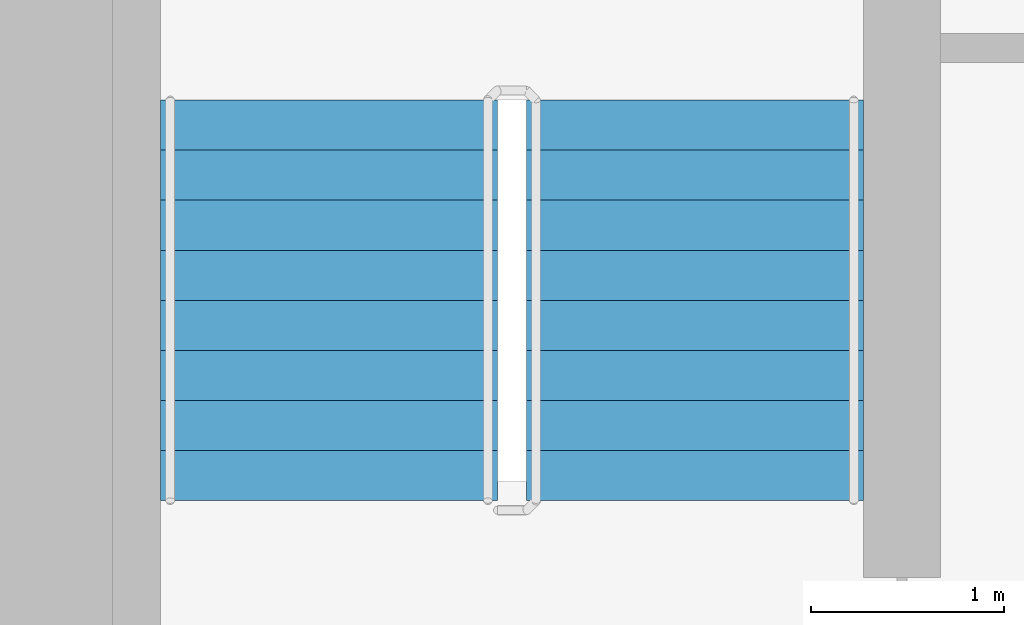
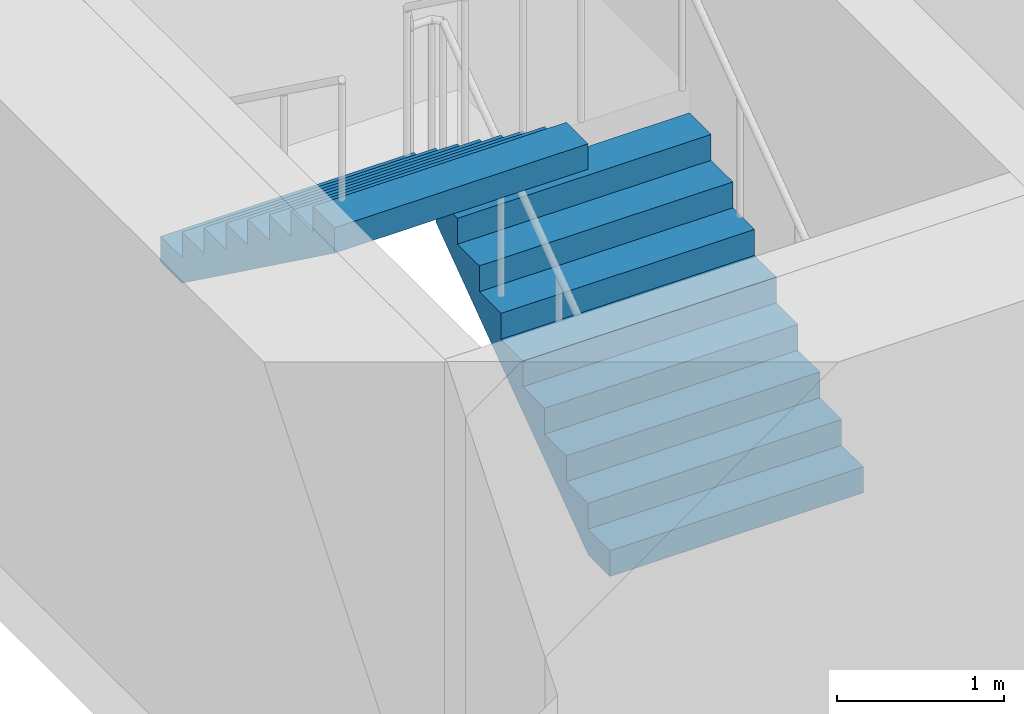
# One storey, part 18 of 22: 2 stair flights, 1 element without a shape of its own.
"""IFC4 building model written with IfcOpenShell, lengths in metres."""

from ifc_helpers import new_model, si_unit, direction, frame, origin, place, context, subcontext, project, spatial, faceted_brep, material, type_object, element, aggregate, save


model = new_model("IFC4")

# Units and contexts
model_context = context("Model", 3, precision=1e-05, world=origin(), true_north=direction((0.0, 1.0)))
body_context = subcontext(model_context, "Body", "Model", "MODEL_VIEW")
ifc_project = project(units=[si_unit("LENGTHUNIT", "METRE"), si_unit("AREAUNIT", "SQUARE_METRE"), si_unit("VOLUMEUNIT", "CUBIC_METRE"), si_unit("PLANEANGLEUNIT", "RADIAN"), si_unit("MASSUNIT", "GRAM", prefix="KILO")], contexts=[model_context])

# Site, building, storey
site_placement = place(None, origin())
site = spatial("IfcSite", under=ifc_project, at=site_placement, CompositionType="ELEMENT")
building_placement = place(site_placement, origin())
building = spatial("IfcBuilding", under=site, at=building_placement, Name="Ipe Terrace Towers", CompositionType="ELEMENT")
storey_placement = place(building_placement, frame((0.0, 0.0, 110.60009765625)))
storey = spatial("IfcBuildingStorey", under=building, at=storey_placement, Name="L30", CompositionType="ELEMENT", Elevation=110.60009765625)

# Stair, stair flights
ifc_material_1 = material(Name="Concrete C30/37", Category="concrete")
stair_type = type_object("IfcStairType", Name="Protected exit stair", PredefinedType="HALF_TURN_STAIR", material=ifc_material_1)
stair_placement = place(storey_placement, origin())
stair = element("IfcStair", 1, at=stair_placement, inside=storey, type_object=stair_type, Name="L30 Exit stair T2-C1", PredefinedType="HALF_TURN_STAIR")
ifc_material_2 = material(Name="Concrete C30/37", Category="concrete")
stair_flight_type = type_object("IfcStairFlightType", Name="Exit stair flight 1750", PredefinedType="STRAIGHT", material=ifc_material_2)
stair_flight_1_placement = place(storey_placement, frame((33.22509765625, 9.699951171875, 0.0), z_axis=(0.0, 0.0, 1.0), x_axis=(0.0, 1.0, 0.0)))
stair_flight_1 = element("IfcStairFlight", 2, at=stair_flight_1_placement, type_object=stair_flight_type, Name="T2-ST1 flight 1", NumberOfRisers=9, NumberOfTreads=8, PredefinedType="STRAIGHT", RiserHeight=0.188888889, TreadLength=0.26, context=body_context, shape_type="Brep", body=[
    faceted_brep([(0.255126953125, -0.875, 0.0), (2.080078125, -0.875, 1.325927734375), (2.080078125, -0.875, 1.51123046875), (1.820068359375, -0.875, 1.51123046875), (1.820068359375, -0.875, 1.322265625), (1.56005859375, -0.875, 1.322265625), (1.56005859375, -0.875, 1.13330078125), (1.300048828125, -0.875, 1.13330078125), (1.300048828125, -0.875, 0.9443359375), (1.0400390625, -0.875, 0.9443359375), (1.0400390625, -0.875, 0.755615234375), (0.780029296875, -0.875, 0.755615234375), (0.780029296875, -0.875, 0.566650390625), (0.52001953125, -0.875, 0.566650390625), (0.52001953125, -0.875, 0.377685546875), (0.260009765625, -0.875, 0.377685546875), (0.260009765625, -0.875, 0.18896484375), (0.0, -0.875, 0.18896484375), (0.0, -0.875, 0.0), (0.0, 0.875, 0.0), (0.0, 0.875, 0.18896484375), (0.260009765625, 0.875, 0.18896484375), (0.260009765625, 0.875, 0.377685546875), (0.52001953125, 0.875, 0.377685546875), (0.52001953125, 0.875, 0.566650390625), (0.780029296875, 0.875, 0.566650390625), (0.780029296875, 0.875, 0.755615234375), (1.0400390625, 0.875, 0.755615234375), (1.0400390625, 0.875, 0.9443359375), (1.300048828125, 0.875, 0.9443359375), (1.300048828125, 0.875, 1.13330078125), (1.56005859375, 0.875, 1.13330078125), (1.56005859375, 0.875, 1.322265625), (1.820068359375, 0.875, 1.322265625), (1.820068359375, 0.875, 1.51123046875), (2.080078125, 0.875, 1.51123046875), (2.080078125, 0.875, 1.325927734375), (0.255126953125, 0.875, 0.0), (0.0, -0.300048828125, 0.18896484375), (0.0, -0.1201171875, 0.18896484375), (0.0, -0.06005859375, 0.18896484375), (0.0, -0.030029296875, 0.18896484375), (0.0, -0.010009765625, 0.18896484375), (0.0, 0.0, 0.18896484375), (0.0, 0.010009765625, 0.18896484375), (0.0, 0.030029296875, 0.18896484375), (0.0, 0.06005859375, 0.18896484375), (0.0, 0.1201171875, 0.18896484375), (0.0, 0.300048828125, 0.18896484375), (0.0, 0.300048828125, 0.0), (0.0, 0.1201171875, 0.0), (0.0, 0.06005859375, 0.0), (0.0, 0.030029296875, 0.0), (0.0, 0.010009765625, 0.0), (0.0, 0.0, 0.0), (0.0, -0.010009765625, 0.0), (0.0, -0.030029296875, 0.0), (0.0, -0.06005859375, 0.0), (0.0, -0.1201171875, 0.0), (0.0, -0.300048828125, 0.0), (0.260009765625, -0.300048828125, 0.18896484375), (0.260009765625, -0.1201171875, 0.18896484375), (0.260009765625, -0.06005859375, 0.18896484375), (0.260009765625, -0.030029296875, 0.18896484375), (0.260009765625, -0.010009765625, 0.18896484375), (0.260009765625, 0.0, 0.18896484375), (0.260009765625, 0.010009765625, 0.18896484375), (0.260009765625, 0.030029296875, 0.18896484375), (0.260009765625, 0.06005859375, 0.18896484375), (0.260009765625, 0.1201171875, 0.18896484375), (0.260009765625, 0.300048828125, 0.18896484375), (0.260009765625, -0.300048828125, 0.377685546875), (0.260009765625, -0.1201171875, 0.377685546875), (0.260009765625, -0.06005859375, 0.377685546875), (0.260009765625, -0.030029296875, 0.377685546875), (0.260009765625, -0.010009765625, 0.377685546875), (0.260009765625, 0.0, 0.377685546875), (0.260009765625, 0.010009765625, 0.377685546875), (0.260009765625, 0.030029296875, 0.377685546875), (0.260009765625, 0.06005859375, 0.377685546875), (0.260009765625, 0.1201171875, 0.377685546875), (0.260009765625, 0.300048828125, 0.377685546875), (0.52001953125, -0.300048828125, 0.377685546875), (0.52001953125, -0.1201171875, 0.377685546875), (0.52001953125, -0.06005859375, 0.377685546875), (0.52001953125, -0.030029296875, 0.377685546875), (0.52001953125, -0.010009765625, 0.377685546875), (0.52001953125, 0.0, 0.377685546875), (0.52001953125, 0.010009765625, 0.377685546875), (0.52001953125, 0.030029296875, 0.377685546875), (0.52001953125, 0.06005859375, 0.377685546875), (0.52001953125, 0.1201171875, 0.377685546875), (0.52001953125, 0.300048828125, 0.377685546875), (0.52001953125, -0.300048828125, 0.566650390625), (0.52001953125, -0.1201171875, 0.566650390625), (0.52001953125, -0.06005859375, 0.566650390625), (0.52001953125, -0.030029296875, 0.566650390625), (0.52001953125, -0.010009765625, 0.566650390625), (0.52001953125, 0.0, 0.566650390625), (0.52001953125, 0.010009765625, 0.566650390625), (0.52001953125, 0.030029296875, 0.566650390625), (0.52001953125, 0.06005859375, 0.566650390625), (0.52001953125, 0.1201171875, 0.566650390625), (0.52001953125, 0.300048828125, 0.566650390625), (0.780029296875, -0.300048828125, 0.566650390625), (0.780029296875, -0.1201171875, 0.566650390625), (0.780029296875, -0.06005859375, 0.566650390625), (0.780029296875, -0.030029296875, 0.566650390625), (0.780029296875, -0.010009765625, 0.566650390625), (0.780029296875, 0.0, 0.566650390625), (0.780029296875, 0.010009765625, 0.566650390625), (0.780029296875, 0.030029296875, 0.566650390625), (0.780029296875, 0.06005859375, 0.566650390625), (0.780029296875, 0.1201171875, 0.566650390625), (0.780029296875, 0.300048828125, 0.566650390625), (0.780029296875, -0.300048828125, 0.755615234375), (0.780029296875, -0.1201171875, 0.755615234375), (0.780029296875, -0.06005859375, 0.755615234375), (0.780029296875, -0.030029296875, 0.755615234375), (0.780029296875, -0.010009765625, 0.755615234375), (0.780029296875, 0.0, 0.755615234375), (0.780029296875, 0.010009765625, 0.755615234375), (0.780029296875, 0.030029296875, 0.755615234375), (0.780029296875, 0.06005859375, 0.755615234375), (0.780029296875, 0.1201171875, 0.755615234375), (0.780029296875, 0.300048828125, 0.755615234375), (1.0400390625, -0.300048828125, 0.755615234375), (1.0400390625, -0.1201171875, 0.755615234375), (1.0400390625, -0.06005859375, 0.755615234375), (1.0400390625, -0.030029296875, 0.755615234375), (1.0400390625, -0.010009765625, 0.755615234375), (1.0400390625, 0.0, 0.755615234375), (1.0400390625, 0.010009765625, 0.755615234375), (1.0400390625, 0.030029296875, 0.755615234375), (1.0400390625, 0.06005859375, 0.755615234375), (1.0400390625, 0.1201171875, 0.755615234375), (1.0400390625, 0.300048828125, 0.755615234375), (1.0400390625, -0.300048828125, 0.9443359375), (1.0400390625, -0.1201171875, 0.9443359375), (1.0400390625, -0.06005859375, 0.9443359375), (1.0400390625, -0.030029296875, 0.9443359375), (1.0400390625, -0.010009765625, 0.9443359375), (1.0400390625, 0.0, 0.9443359375), (1.0400390625, 0.010009765625, 0.9443359375), (1.0400390625, 0.030029296875, 0.9443359375), (1.0400390625, 0.06005859375, 0.9443359375), (1.0400390625, 0.1201171875, 0.9443359375), (1.0400390625, 0.300048828125, 0.9443359375), (1.300048828125, -0.300048828125, 0.9443359375), (1.300048828125, -0.1201171875, 0.9443359375), (1.300048828125, -0.06005859375, 0.9443359375), (1.300048828125, -0.030029296875, 0.9443359375), (1.300048828125, -0.010009765625, 0.9443359375), (1.300048828125, 0.0, 0.9443359375), (1.300048828125, 0.010009765625, 0.9443359375), (1.300048828125, 0.030029296875, 0.9443359375), (1.300048828125, 0.06005859375, 0.9443359375), (1.300048828125, 0.1201171875, 0.9443359375), (1.300048828125, 0.300048828125, 0.9443359375), (1.300048828125, -0.300048828125, 1.13330078125), (1.300048828125, -0.1201171875, 1.13330078125), (1.300048828125, -0.06005859375, 1.13330078125), (1.300048828125, -0.030029296875, 1.13330078125), (1.300048828125, -0.010009765625, 1.13330078125), (1.300048828125, 0.0, 1.13330078125), (1.300048828125, 0.010009765625, 1.13330078125), (1.300048828125, 0.030029296875, 1.13330078125), (1.300048828125, 0.06005859375, 1.13330078125), (1.300048828125, 0.1201171875, 1.13330078125), (1.300048828125, 0.300048828125, 1.13330078125), (1.56005859375, -0.300048828125, 1.13330078125), (1.56005859375, -0.1201171875, 1.13330078125), (1.56005859375, -0.06005859375, 1.13330078125), (1.56005859375, -0.030029296875, 1.13330078125), (1.56005859375, -0.010009765625, 1.13330078125), (1.56005859375, 0.0, 1.13330078125), (1.56005859375, 0.010009765625, 1.13330078125), (1.56005859375, 0.030029296875, 1.13330078125), (1.56005859375, 0.06005859375, 1.13330078125), (1.56005859375, 0.1201171875, 1.13330078125), (1.56005859375, 0.300048828125, 1.13330078125), (1.56005859375, -0.300048828125, 1.322265625), (1.56005859375, -0.1201171875, 1.322265625), (1.56005859375, -0.06005859375, 1.322265625), (1.56005859375, -0.030029296875, 1.322265625), (1.56005859375, -0.010009765625, 1.322265625), (1.56005859375, 0.0, 1.322265625), (1.56005859375, 0.010009765625, 1.322265625), (1.56005859375, 0.030029296875, 1.322265625), (1.56005859375, 0.06005859375, 1.322265625), (1.56005859375, 0.1201171875, 1.322265625), (1.56005859375, 0.300048828125, 1.322265625), (1.820068359375, -0.300048828125, 1.322265625), (1.820068359375, -0.1201171875, 1.322265625), (1.820068359375, -0.06005859375, 1.322265625), (1.820068359375, -0.030029296875, 1.322265625), (1.820068359375, -0.010009765625, 1.322265625), (1.820068359375, 0.0, 1.322265625), (1.820068359375, 0.010009765625, 1.322265625), (1.820068359375, 0.030029296875, 1.322265625), (1.820068359375, 0.06005859375, 1.322265625), (1.820068359375, 0.1201171875, 1.322265625), (1.820068359375, 0.300048828125, 1.322265625), (1.820068359375, -0.300048828125, 1.51123046875), (1.820068359375, -0.1201171875, 1.51123046875), (1.820068359375, -0.06005859375, 1.51123046875), (1.820068359375, -0.030029296875, 1.51123046875), (1.820068359375, -0.010009765625, 1.51123046875), (1.820068359375, 0.0, 1.51123046875), (1.820068359375, 0.010009765625, 1.51123046875), (1.820068359375, 0.030029296875, 1.51123046875), (1.820068359375, 0.06005859375, 1.51123046875), (1.820068359375, 0.1201171875, 1.51123046875), (1.820068359375, 0.300048828125, 1.51123046875), (2.080078125, -0.300048828125, 1.51123046875), (2.080078125, -0.1201171875, 1.51123046875), (2.080078125, -0.06005859375, 1.51123046875), (2.080078125, -0.030029296875, 1.51123046875), (2.080078125, -0.010009765625, 1.51123046875), (2.080078125, 0.0, 1.51123046875), (2.080078125, 0.010009765625, 1.51123046875), (2.080078125, 0.030029296875, 1.51123046875), (2.080078125, 0.06005859375, 1.51123046875), (2.080078125, 0.1201171875, 1.51123046875), (2.080078125, 0.300048828125, 1.51123046875), (2.080078125, -0.300048828125, 1.325927734375), (2.080078125, -0.1201171875, 1.325927734375), (2.080078125, -0.06005859375, 1.325927734375), (2.080078125, -0.030029296875, 1.325927734375), (2.080078125, -0.010009765625, 1.325927734375), (2.080078125, 0.0, 1.325927734375), (2.080078125, 0.010009765625, 1.325927734375), (2.080078125, 0.030029296875, 1.325927734375), (2.080078125, 0.06005859375, 1.325927734375), (2.080078125, 0.1201171875, 1.325927734375), (2.080078125, 0.300048828125, 1.325927734375), (0.255126953125, -0.300048828125, 0.0), (0.255126953125, -0.1201171875, 0.0), (0.255126953125, -0.06005859375, 0.0), (0.255126953125, -0.030029296875, 0.0), (0.255126953125, -0.010009765625, 0.0), (0.255126953125, 0.0, 0.0), (0.255126953125, 0.010009765625, 0.0), (0.255126953125, 0.030029296875, 0.0), (0.255126953125, 0.06005859375, 0.0), (0.255126953125, 0.1201171875, 0.0), (0.255126953125, 0.300048828125, 0.0)], [[[0, 1, 2, 3, 4, 5, 6, 7, 8, 9, 10, 11, 12, 13, 14, 15, 16, 17, 18]], [[19, 20, 21, 22, 23, 24, 25, 26, 27, 28, 29, 30, 31, 32, 33, 34, 35, 36, 37]], [[17, 38, 39, 40, 41, 42, 43, 44, 45, 46, 47, 48, 20, 19, 49, 50, 51, 52, 53, 54, 55, 56, 57, 58, 59, 18]], [[16, 60, 61, 62, 63, 64, 65, 66, 67, 68, 69, 70, 21, 20, 48, 47, 46, 45, 44, 43, 42, 41, 40, 39, 38, 17]], [[15, 71, 72, 73, 74, 75, 76, 77, 78, 79, 80, 81, 22, 21, 70, 69, 68, 67, 66, 65, 64, 63, 62, 61, 60, 16]], [[14, 82, 83, 84, 85, 86, 87, 88, 89, 90, 91, 92, 23, 22, 81, 80, 79, 78, 77, 76, 75, 74, 73, 72, 71, 15]], [[13, 93, 94, 95, 96, 97, 98, 99, 100, 101, 102, 103, 24, 23, 92, 91, 90, 89, 88, 87, 86, 85, 84, 83, 82, 14]], [[12, 104, 105, 106, 107, 108, 109, 110, 111, 112, 113, 114, 25, 24, 103, 102, 101, 100, 99, 98, 97, 96, 95, 94, 93, 13]], [[11, 115, 116, 117, 118, 119, 120, 121, 122, 123, 124, 125, 26, 25, 114, 113, 112, 111, 110, 109, 108, 107, 106, 105, 104, 12]], [[10, 126, 127, 128, 129, 130, 131, 132, 133, 134, 135, 136, 27, 26, 125, 124, 123, 122, 121, 120, 119, 118, 117, 116, 115, 11]], [[9, 137, 138, 139, 140, 141, 142, 143, 144, 145, 146, 147, 28, 27, 136, 135, 134, 133, 132, 131, 130, 129, 128, 127, 126, 10]], [[8, 148, 149, 150, 151, 152, 153, 154, 155, 156, 157, 158, 29, 28, 147, 146, 145, 144, 143, 142, 141, 140, 139, 138, 137, 9]], [[7, 159, 160, 161, 162, 163, 164, 165, 166, 167, 168, 169, 30, 29, 158, 157, 156, 155, 154, 153, 152, 151, 150, 149, 148, 8]], [[6, 170, 171, 172, 173, 174, 175, 176, 177, 178, 179, 180, 31, 30, 169, 168, 167, 166, 165, 164, 163, 162, 161, 160, 159, 7]], [[5, 181, 182, 183, 184, 185, 186, 187, 188, 189, 190, 191, 32, 31, 180, 179, 178, 177, 176, 175, 174, 173, 172, 171, 170, 6]], [[4, 192, 193, 194, 195, 196, 197, 198, 199, 200, 201, 202, 33, 32, 191, 190, 189, 188, 187, 186, 185, 184, 183, 182, 181, 5]], [[3, 203, 204, 205, 206, 207, 208, 209, 210, 211, 212, 213, 34, 33, 202, 201, 200, 199, 198, 197, 196, 195, 194, 193, 192, 4]], [[2, 214, 215, 216, 217, 218, 219, 220, 221, 222, 223, 224, 35, 34, 213, 212, 211, 210, 209, 208, 207, 206, 205, 204, 203, 3]], [[1, 225, 226, 227, 228, 229, 230, 231, 232, 233, 234, 235, 36, 35, 224, 223, 222, 221, 220, 219, 218, 217, 216, 215, 214, 2]], [[0, 236, 237, 238, 239, 240, 241, 242, 243, 244, 245, 246, 37, 36, 235, 234, 233, 232, 231, 230, 229, 228, 227, 226, 225, 1]], [[18, 59, 58, 57, 56, 55, 54, 53, 52, 51, 50, 49, 19, 37, 246, 245, 244, 243, 242, 241, 240, 239, 238, 237, 236, 0]]]),
])
stair_flight_2_placement = place(storey_placement, frame((31.324951171875, 11.780029296875, 1.699951171875), z_axis=(0.0, 0.0, 1.0), x_axis=(0.0, -1.0, 0.0)))
stair_flight_2 = element("IfcStairFlight", 3, at=stair_flight_2_placement, type_object=stair_flight_type, Name="T2-ST1 flight 2", NumberOfRisers=9, NumberOfTreads=8, PredefinedType="STRAIGHT", RiserHeight=0.188888889, TreadLength=0.26, context=body_context, shape_type="Brep", body=[
    faceted_brep([(0.255126953125, -0.875, 0.0), (2.080078125, -0.875, 1.325927734375), (2.080078125, -0.875, 1.51123046875), (1.820068359375, -0.875, 1.51123046875), (1.820068359375, -0.875, 1.322265625), (1.56005859375, -0.875, 1.322265625), (1.56005859375, -0.875, 1.13330078125), (1.300048828125, -0.875, 1.13330078125), (1.300048828125, -0.875, 0.9443359375), (1.0400390625, -0.875, 0.9443359375), (1.0400390625, -0.875, 0.755615234375), (0.780029296875, -0.875, 0.755615234375), (0.780029296875, -0.875, 0.566650390625), (0.52001953125, -0.875, 0.566650390625), (0.52001953125, -0.875, 0.377685546875), (0.260009765625, -0.875, 0.377685546875), (0.260009765625, -0.875, 0.18896484375), (0.0, -0.875, 0.18896484375), (0.0, -0.875, 0.0), (0.0, 0.875, 0.0), (0.0, 0.875, 0.18896484375), (0.260009765625, 0.875, 0.18896484375), (0.260009765625, 0.875, 0.377685546875), (0.52001953125, 0.875, 0.377685546875), (0.52001953125, 0.875, 0.566650390625), (0.780029296875, 0.875, 0.566650390625), (0.780029296875, 0.875, 0.755615234375), (1.0400390625, 0.875, 0.755615234375), (1.0400390625, 0.875, 0.9443359375), (1.300048828125, 0.875, 0.9443359375), (1.300048828125, 0.875, 1.13330078125), (1.56005859375, 0.875, 1.13330078125), (1.56005859375, 0.875, 1.322265625), (1.820068359375, 0.875, 1.322265625), (1.820068359375, 0.875, 1.51123046875), (2.080078125, 0.875, 1.51123046875), (2.080078125, 0.875, 1.325927734375), (0.255126953125, 0.875, 0.0), (0.0, -0.300048828125, 0.18896484375), (0.0, -0.1201171875, 0.18896484375), (0.0, -0.06005859375, 0.18896484375), (0.0, -0.030029296875, 0.18896484375), (0.0, -0.010009765625, 0.18896484375), (0.0, 0.0, 0.18896484375), (0.0, 0.010009765625, 0.18896484375), (0.0, 0.030029296875, 0.18896484375), (0.0, 0.06005859375, 0.18896484375), (0.0, 0.1201171875, 0.18896484375), (0.0, 0.300048828125, 0.18896484375), (0.0, 0.300048828125, 0.0), (0.0, 0.1201171875, 0.0), (0.0, 0.06005859375, 0.0), (0.0, 0.030029296875, 0.0), (0.0, 0.010009765625, 0.0), (0.0, 0.0, 0.0), (0.0, -0.010009765625, 0.0), (0.0, -0.030029296875, 0.0), (0.0, -0.06005859375, 0.0), (0.0, -0.1201171875, 0.0), (0.0, -0.300048828125, 0.0), (0.260009765625, -0.300048828125, 0.18896484375), (0.260009765625, -0.1201171875, 0.18896484375), (0.260009765625, -0.06005859375, 0.18896484375), (0.260009765625, -0.030029296875, 0.18896484375), (0.260009765625, -0.010009765625, 0.18896484375), (0.260009765625, 0.0, 0.18896484375), (0.260009765625, 0.010009765625, 0.18896484375), (0.260009765625, 0.030029296875, 0.18896484375), (0.260009765625, 0.06005859375, 0.18896484375), (0.260009765625, 0.1201171875, 0.18896484375), (0.260009765625, 0.300048828125, 0.18896484375), (0.260009765625, -0.300048828125, 0.377685546875), (0.260009765625, -0.1201171875, 0.377685546875), (0.260009765625, -0.06005859375, 0.377685546875), (0.260009765625, -0.030029296875, 0.377685546875), (0.260009765625, -0.010009765625, 0.377685546875), (0.260009765625, 0.0, 0.377685546875), (0.260009765625, 0.010009765625, 0.377685546875), (0.260009765625, 0.030029296875, 0.377685546875), (0.260009765625, 0.06005859375, 0.377685546875), (0.260009765625, 0.1201171875, 0.377685546875), (0.260009765625, 0.300048828125, 0.377685546875), (0.52001953125, -0.300048828125, 0.377685546875), (0.52001953125, -0.1201171875, 0.377685546875), (0.52001953125, -0.06005859375, 0.377685546875), (0.52001953125, -0.030029296875, 0.377685546875), (0.52001953125, -0.010009765625, 0.377685546875), (0.52001953125, 0.0, 0.377685546875), (0.52001953125, 0.010009765625, 0.377685546875), (0.52001953125, 0.030029296875, 0.377685546875), (0.52001953125, 0.06005859375, 0.377685546875), (0.52001953125, 0.1201171875, 0.377685546875), (0.52001953125, 0.300048828125, 0.377685546875), (0.52001953125, -0.300048828125, 0.566650390625), (0.52001953125, -0.1201171875, 0.566650390625), (0.52001953125, -0.06005859375, 0.566650390625), (0.52001953125, -0.030029296875, 0.566650390625), (0.52001953125, -0.010009765625, 0.566650390625), (0.52001953125, 0.0, 0.566650390625), (0.52001953125, 0.010009765625, 0.566650390625), (0.52001953125, 0.030029296875, 0.566650390625), (0.52001953125, 0.06005859375, 0.566650390625), (0.52001953125, 0.1201171875, 0.566650390625), (0.52001953125, 0.300048828125, 0.566650390625), (0.780029296875, -0.300048828125, 0.566650390625), (0.780029296875, -0.1201171875, 0.566650390625), (0.780029296875, -0.06005859375, 0.566650390625), (0.780029296875, -0.030029296875, 0.566650390625), (0.780029296875, -0.010009765625, 0.566650390625), (0.780029296875, 0.0, 0.566650390625), (0.780029296875, 0.010009765625, 0.566650390625), (0.780029296875, 0.030029296875, 0.566650390625), (0.780029296875, 0.06005859375, 0.566650390625), (0.780029296875, 0.1201171875, 0.566650390625), (0.780029296875, 0.300048828125, 0.566650390625), (0.780029296875, -0.300048828125, 0.755615234375), (0.780029296875, -0.1201171875, 0.755615234375), (0.780029296875, -0.06005859375, 0.755615234375), (0.780029296875, -0.030029296875, 0.755615234375), (0.780029296875, -0.010009765625, 0.755615234375), (0.780029296875, 0.0, 0.755615234375), (0.780029296875, 0.010009765625, 0.755615234375), (0.780029296875, 0.030029296875, 0.755615234375), (0.780029296875, 0.06005859375, 0.755615234375), (0.780029296875, 0.1201171875, 0.755615234375), (0.780029296875, 0.300048828125, 0.755615234375), (1.0400390625, -0.300048828125, 0.755615234375), (1.0400390625, -0.1201171875, 0.755615234375), (1.0400390625, -0.06005859375, 0.755615234375), (1.0400390625, -0.030029296875, 0.755615234375), (1.0400390625, -0.010009765625, 0.755615234375), (1.0400390625, 0.0, 0.755615234375), (1.0400390625, 0.010009765625, 0.755615234375), (1.0400390625, 0.030029296875, 0.755615234375), (1.0400390625, 0.06005859375, 0.755615234375), (1.0400390625, 0.1201171875, 0.755615234375), (1.0400390625, 0.300048828125, 0.755615234375), (1.0400390625, -0.300048828125, 0.9443359375), (1.0400390625, -0.1201171875, 0.9443359375), (1.0400390625, -0.06005859375, 0.9443359375), (1.0400390625, -0.030029296875, 0.9443359375), (1.0400390625, -0.010009765625, 0.9443359375), (1.0400390625, 0.0, 0.9443359375), (1.0400390625, 0.010009765625, 0.9443359375), (1.0400390625, 0.030029296875, 0.9443359375), (1.0400390625, 0.06005859375, 0.9443359375), (1.0400390625, 0.1201171875, 0.9443359375), (1.0400390625, 0.300048828125, 0.9443359375), (1.300048828125, -0.300048828125, 0.9443359375), (1.300048828125, -0.1201171875, 0.9443359375), (1.300048828125, -0.06005859375, 0.9443359375), (1.300048828125, -0.030029296875, 0.9443359375), (1.300048828125, -0.010009765625, 0.9443359375), (1.300048828125, 0.0, 0.9443359375), (1.300048828125, 0.010009765625, 0.9443359375), (1.300048828125, 0.030029296875, 0.9443359375), (1.300048828125, 0.06005859375, 0.9443359375), (1.300048828125, 0.1201171875, 0.9443359375), (1.300048828125, 0.300048828125, 0.9443359375), (1.300048828125, -0.300048828125, 1.13330078125), (1.300048828125, -0.1201171875, 1.13330078125), (1.300048828125, -0.06005859375, 1.13330078125), (1.300048828125, -0.030029296875, 1.13330078125), (1.300048828125, -0.010009765625, 1.13330078125), (1.300048828125, 0.0, 1.13330078125), (1.300048828125, 0.010009765625, 1.13330078125), (1.300048828125, 0.030029296875, 1.13330078125), (1.300048828125, 0.06005859375, 1.13330078125), (1.300048828125, 0.1201171875, 1.13330078125), (1.300048828125, 0.300048828125, 1.13330078125), (1.56005859375, -0.300048828125, 1.13330078125), (1.56005859375, -0.1201171875, 1.13330078125), (1.56005859375, -0.06005859375, 1.13330078125), (1.56005859375, -0.030029296875, 1.13330078125), (1.56005859375, -0.010009765625, 1.13330078125), (1.56005859375, 0.0, 1.13330078125), (1.56005859375, 0.010009765625, 1.13330078125), (1.56005859375, 0.030029296875, 1.13330078125), (1.56005859375, 0.06005859375, 1.13330078125), (1.56005859375, 0.1201171875, 1.13330078125), (1.56005859375, 0.300048828125, 1.13330078125), (1.56005859375, -0.300048828125, 1.322265625), (1.56005859375, -0.1201171875, 1.322265625), (1.56005859375, -0.06005859375, 1.322265625), (1.56005859375, -0.030029296875, 1.322265625), (1.56005859375, -0.010009765625, 1.322265625), (1.56005859375, 0.0, 1.322265625), (1.56005859375, 0.010009765625, 1.322265625), (1.56005859375, 0.030029296875, 1.322265625), (1.56005859375, 0.06005859375, 1.322265625), (1.56005859375, 0.1201171875, 1.322265625), (1.56005859375, 0.300048828125, 1.322265625), (1.820068359375, -0.300048828125, 1.322265625), (1.820068359375, -0.1201171875, 1.322265625), (1.820068359375, -0.06005859375, 1.322265625), (1.820068359375, -0.030029296875, 1.322265625), (1.820068359375, -0.010009765625, 1.322265625), (1.820068359375, 0.0, 1.322265625), (1.820068359375, 0.010009765625, 1.322265625), (1.820068359375, 0.030029296875, 1.322265625), (1.820068359375, 0.06005859375, 1.322265625), (1.820068359375, 0.1201171875, 1.322265625), (1.820068359375, 0.300048828125, 1.322265625), (1.820068359375, -0.300048828125, 1.51123046875), (1.820068359375, -0.1201171875, 1.51123046875), (1.820068359375, -0.06005859375, 1.51123046875), (1.820068359375, -0.030029296875, 1.51123046875), (1.820068359375, -0.010009765625, 1.51123046875), (1.820068359375, 0.0, 1.51123046875), (1.820068359375, 0.010009765625, 1.51123046875), (1.820068359375, 0.030029296875, 1.51123046875), (1.820068359375, 0.06005859375, 1.51123046875), (1.820068359375, 0.1201171875, 1.51123046875), (1.820068359375, 0.300048828125, 1.51123046875), (2.080078125, -0.300048828125, 1.51123046875), (2.080078125, -0.1201171875, 1.51123046875), (2.080078125, -0.06005859375, 1.51123046875), (2.080078125, -0.030029296875, 1.51123046875), (2.080078125, -0.010009765625, 1.51123046875), (2.080078125, 0.0, 1.51123046875), (2.080078125, 0.010009765625, 1.51123046875), (2.080078125, 0.030029296875, 1.51123046875), (2.080078125, 0.06005859375, 1.51123046875), (2.080078125, 0.1201171875, 1.51123046875), (2.080078125, 0.300048828125, 1.51123046875), (2.080078125, -0.300048828125, 1.325927734375), (2.080078125, -0.1201171875, 1.325927734375), (2.080078125, -0.06005859375, 1.325927734375), (2.080078125, -0.030029296875, 1.325927734375), (2.080078125, -0.010009765625, 1.325927734375), (2.080078125, 0.0, 1.325927734375), (2.080078125, 0.010009765625, 1.325927734375), (2.080078125, 0.030029296875, 1.325927734375), (2.080078125, 0.06005859375, 1.325927734375), (2.080078125, 0.1201171875, 1.325927734375), (2.080078125, 0.300048828125, 1.325927734375), (0.255126953125, -0.300048828125, 0.0), (0.255126953125, -0.1201171875, 0.0), (0.255126953125, -0.06005859375, 0.0), (0.255126953125, -0.030029296875, 0.0), (0.255126953125, -0.010009765625, 0.0), (0.255126953125, 0.0, 0.0), (0.255126953125, 0.010009765625, 0.0), (0.255126953125, 0.030029296875, 0.0), (0.255126953125, 0.06005859375, 0.0), (0.255126953125, 0.1201171875, 0.0), (0.255126953125, 0.300048828125, 0.0)], [[[0, 1, 2, 3, 4, 5, 6, 7, 8, 9, 10, 11, 12, 13, 14, 15, 16, 17, 18]], [[19, 20, 21, 22, 23, 24, 25, 26, 27, 28, 29, 30, 31, 32, 33, 34, 35, 36, 37]], [[17, 38, 39, 40, 41, 42, 43, 44, 45, 46, 47, 48, 20, 19, 49, 50, 51, 52, 53, 54, 55, 56, 57, 58, 59, 18]], [[16, 60, 61, 62, 63, 64, 65, 66, 67, 68, 69, 70, 21, 20, 48, 47, 46, 45, 44, 43, 42, 41, 40, 39, 38, 17]], [[15, 71, 72, 73, 74, 75, 76, 77, 78, 79, 80, 81, 22, 21, 70, 69, 68, 67, 66, 65, 64, 63, 62, 61, 60, 16]], [[14, 82, 83, 84, 85, 86, 87, 88, 89, 90, 91, 92, 23, 22, 81, 80, 79, 78, 77, 76, 75, 74, 73, 72, 71, 15]], [[13, 93, 94, 95, 96, 97, 98, 99, 100, 101, 102, 103, 24, 23, 92, 91, 90, 89, 88, 87, 86, 85, 84, 83, 82, 14]], [[12, 104, 105, 106, 107, 108, 109, 110, 111, 112, 113, 114, 25, 24, 103, 102, 101, 100, 99, 98, 97, 96, 95, 94, 93, 13]], [[11, 115, 116, 117, 118, 119, 120, 121, 122, 123, 124, 125, 26, 25, 114, 113, 112, 111, 110, 109, 108, 107, 106, 105, 104, 12]], [[10, 126, 127, 128, 129, 130, 131, 132, 133, 134, 135, 136, 27, 26, 125, 124, 123, 122, 121, 120, 119, 118, 117, 116, 115, 11]], [[9, 137, 138, 139, 140, 141, 142, 143, 144, 145, 146, 147, 28, 27, 136, 135, 134, 133, 132, 131, 130, 129, 128, 127, 126, 10]], [[8, 148, 149, 150, 151, 152, 153, 154, 155, 156, 157, 158, 29, 28, 147, 146, 145, 144, 143, 142, 141, 140, 139, 138, 137, 9]], [[7, 159, 160, 161, 162, 163, 164, 165, 166, 167, 168, 169, 30, 29, 158, 157, 156, 155, 154, 153, 152, 151, 150, 149, 148, 8]], [[6, 170, 171, 172, 173, 174, 175, 176, 177, 178, 179, 180, 31, 30, 169, 168, 167, 166, 165, 164, 163, 162, 161, 160, 159, 7]], [[5, 181, 182, 183, 184, 185, 186, 187, 188, 189, 190, 191, 32, 31, 180, 179, 178, 177, 176, 175, 174, 173, 172, 171, 170, 6]], [[4, 192, 193, 194, 195, 196, 197, 198, 199, 200, 201, 202, 33, 32, 191, 190, 189, 188, 187, 186, 185, 184, 183, 182, 181, 5]], [[3, 203, 204, 205, 206, 207, 208, 209, 210, 211, 212, 213, 34, 33, 202, 201, 200, 199, 198, 197, 196, 195, 194, 193, 192, 4]], [[2, 214, 215, 216, 217, 218, 219, 220, 221, 222, 223, 224, 35, 34, 213, 212, 211, 210, 209, 208, 207, 206, 205, 204, 203, 3]], [[1, 225, 226, 227, 228, 229, 230, 231, 232, 233, 234, 235, 36, 35, 224, 223, 222, 221, 220, 219, 218, 217, 216, 215, 214, 2]], [[0, 236, 237, 238, 239, 240, 241, 242, 243, 244, 245, 246, 37, 36, 235, 234, 233, 232, 231, 230, 229, 228, 227, 226, 225, 1]], [[18, 59, 58, 57, 56, 55, 54, 53, 52, 51, 50, 49, 19, 37, 246, 245, 244, 243, 242, 241, 240, 239, 238, 237, 236, 0]]]),
])
aggregate(stair, [stair_flight_1, stair_flight_2])

save(model, "model.ifc")
